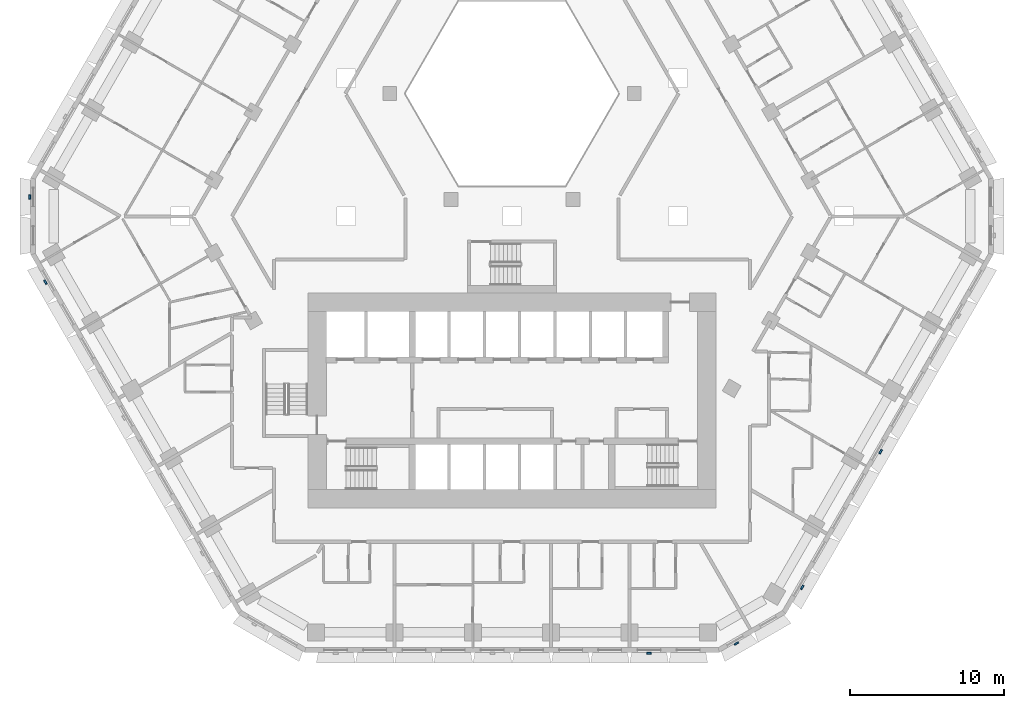
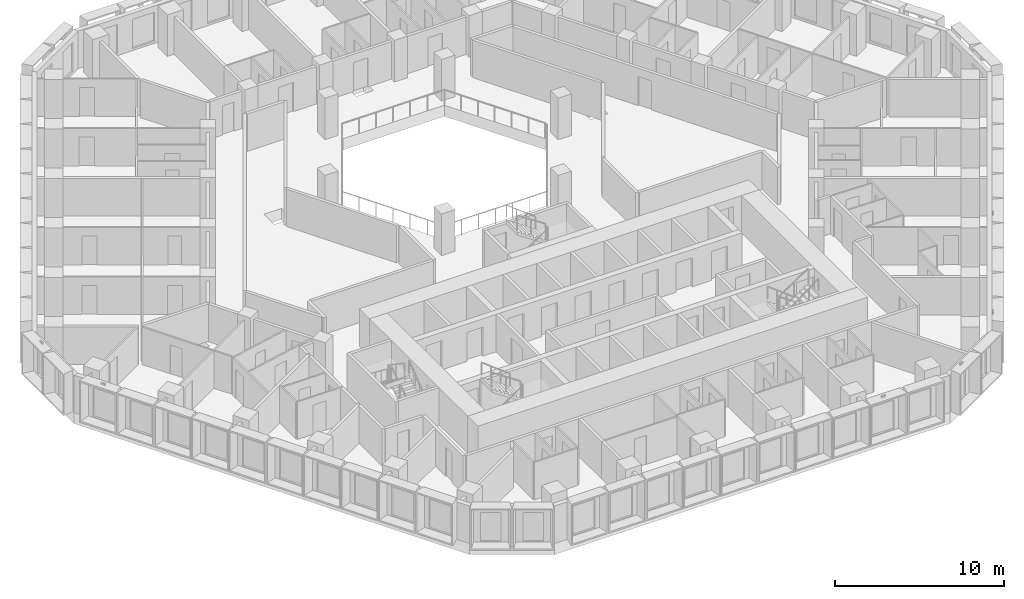
# One storey, part 13 of 21: 6 discrete accessories.
"""IFC4 building model written with IfcOpenShell, lengths in metres."""

from ifc_helpers import new_model, si_unit, direction, frame, origin, place, context, subcontext, project, spatial, polyline, outline, extrude, source, transform, mapped, material, type_object, type_shapes, element, save


model = new_model("IFC4")

# Units and contexts
model_context = context("Model", 3, precision=1e-05, world=origin(), true_north=direction((0.0, 1.0)))
body_context = subcontext(model_context, "Body", "Model", "MODEL_VIEW")
ifc_project = project(units=[si_unit("LENGTHUNIT", "METRE"), si_unit("AREAUNIT", "SQUARE_METRE"), si_unit("VOLUMEUNIT", "CUBIC_METRE"), si_unit("PLANEANGLEUNIT", "RADIAN"), si_unit("MASSUNIT", "GRAM", prefix="KILO")], contexts=[model_context])

# Site, building, storey
site_placement = place(None, origin())
site = spatial("IfcSite", under=ifc_project, at=site_placement, CompositionType="ELEMENT")
building_placement = place(site_placement, origin())
building = spatial("IfcBuilding", under=site, at=building_placement, Name="Beryl Residences", CompositionType="ELEMENT")
storey_placement = place(building_placement, frame((0.0, 0.0, 23.39990234375)))
storey = spatial("IfcBuildingStorey", under=building, at=storey_placement, Name="L06", CompositionType="ELEMENT", Elevation=23.39990234375)

# Discrete accessories
ifc_material = material(Name="Steel S355", Category="steel")
discrete_accessory_type = type_object("IfcDiscreteAccessoryType", Name="BR1 frame bracket 300 x 120 x 150 mm", PredefinedType="BRACKET", material=ifc_material)
shared_shape = source(origin(), body_context, "Body", "SweptSolid", [
    extrude(outline(polyline([(-0.14990234375, 0.0), (0.14990234375, 0.0), (0.14990234375, 0.1201171875), (-0.14990234375, 0.1201171875), (-0.14990234375, 0.0)])), origin(), (0.0, 0.0, 1.0), 0.14990234375),
])
type_shapes(discrete_accessory_type, [shared_shape])
for number, where, z_axis, x_axis, name in (
    (1, (-31.35009765625, 1.25, 2.75), (0.0, 0.0, 1.0), (0.0, 1.0, 0.0), "BR1 bracket L06 NW-SW 1"),
    (2, (-30.3359375, -4.2548828125, 2.75), (0.0, 0.0, 1.0), (-0.5, 0.866025403784, 0.0), "BR1 bracket L06 SW 1"),
    (3, (8.93310546875, -28.39990234375, 2.75), (0.0, 0.0, 1.0), (-1.0, 0.0, 0.0), "BR1 bracket L06 S 9"),
    (4, (14.593017578125, -27.77490234375, 2.75), (0.0, 0.0, 1.0), (-0.866025403784, -0.5, 0.0), "BR1 bracket L06 S-SE 1"),
    (5, (18.85400390625, -24.14501953125, 2.75), (0.0, 0.0, 1.0), (-0.5, -0.866025403784, 0.0), "BR1 bracket L06 SE 1"),
    (6, (23.9580078125, -15.303955078125, 2.75), (0.0, 0.0, 1.0), (-0.5, -0.866025403784, 0.0), "BR1 bracket L06 SE 5"),
):
    element("IfcDiscreteAccessory", number, at=place(storey_placement, frame(where, z_axis=z_axis, x_axis=x_axis)), inside=storey, type_object=discrete_accessory_type, Name=name, PredefinedType="BRACKET", context=body_context, shape_type="MappedRepresentation", body=[
        mapped(shared_shape, transform((0.0, 0.0, 0.0))),
    ])

save(model, "model.ifc")
